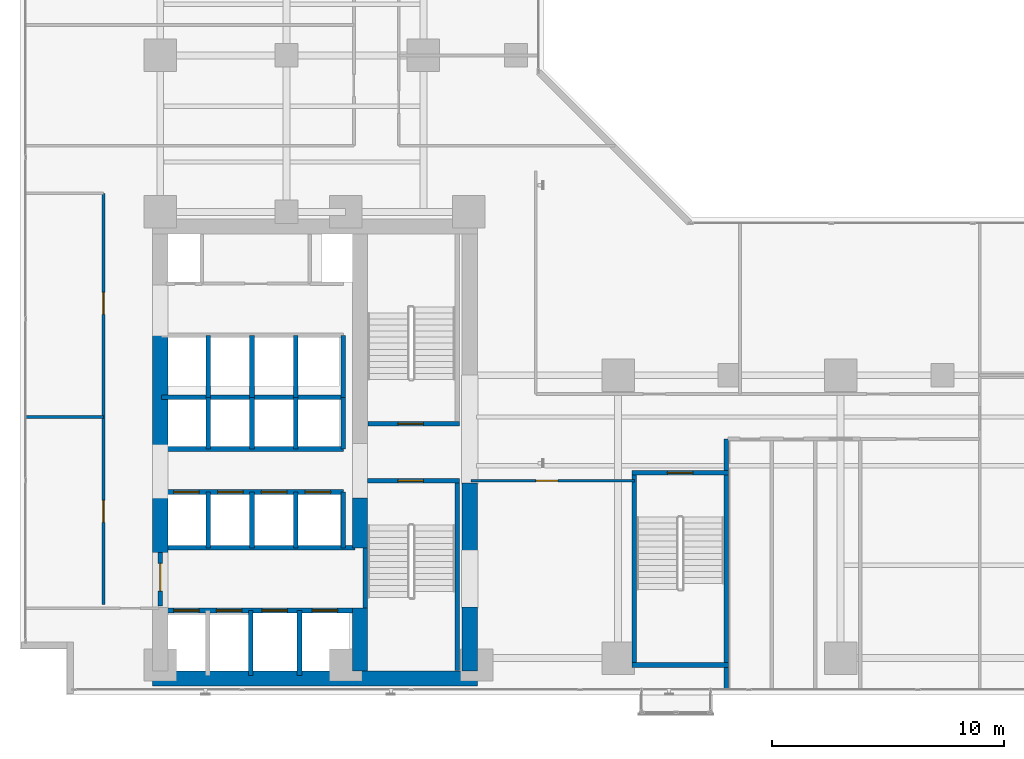
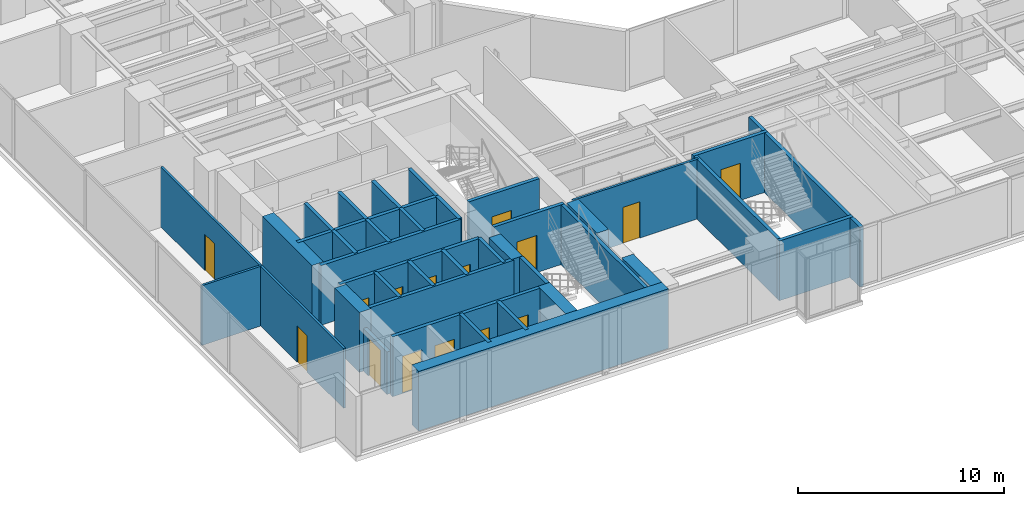
# One storey, part 19 of 24: 38 walls, 15 doors, 15 openings.
"""IFC4 building model written with IfcOpenShell, lengths in metres."""

from ifc_helpers import new_model, si_unit, direction, frame, frame_2d, origin, place, context, subcontext, project, spatial, rectangle, extrude, material, layer, layer_set, type_object, element, fill, save


model = new_model("IFC4")

# Units and contexts
model_context = context("Model", 3, precision=1e-05, world=origin(), true_north=direction((0.0, 1.0)))
body_context = subcontext(model_context, "Body", "Model", "MODEL_VIEW")
ifc_project = project(units=[si_unit("LENGTHUNIT", "METRE"), si_unit("AREAUNIT", "SQUARE_METRE"), si_unit("VOLUMEUNIT", "CUBIC_METRE"), si_unit("PLANEANGLEUNIT", "RADIAN"), si_unit("MASSUNIT", "GRAM", prefix="KILO")], contexts=[model_context])

# Site, building, storey
site_placement = place(None, origin())
site = spatial("IfcSite", under=ifc_project, at=site_placement, CompositionType="ELEMENT")
building_placement = place(site_placement, origin())
building = spatial("IfcBuilding", under=site, at=building_placement, Name="Kolvaren Waterfront Exchange", CompositionType="ELEMENT")
storey_placement = place(building_placement, frame((0.0, 0.0, 95.5)))
storey = spatial("IfcBuildingStorey", under=building, at=storey_placement, Name="L24", CompositionType="ELEMENT", Elevation=95.5)

# Wall, opening, door
ifc_material_1 = material(Name="Precast concrete C40/50", Category="concrete")
ifc_layer_1 = layer(ifc_material_1, 0.199951171875, Name="Precast concrete C40/50")
ifc_layer_set_1 = layer_set([ifc_layer_1], Name="Precast concrete C40/50")
wall_type_1 = type_object("IfcWallType", Name="ARC-FIRE-200", PredefinedType="PARTITIONING", material=ifc_layer_set_1)
wall_1_placement = place(storey_placement, frame((16.39990234375, 12.85009765625, 0.0), z_axis=(0.0, 0.0, 1.0), x_axis=(1.0, 0.0, 0.0)))
wall_1 = element("IfcWall", 1, at=wall_1_placement, inside=storey, type_object=wall_type_1, Name="L24 interior wall PW-L24-ST1-THROAT-S", PredefinedType="PARTITIONING", context=body_context, shape_type="SweptSolid", body=[
    extrude(rectangle(XDim=3.960205078125, YDim=0.199951171875, at=frame_2d((1.97998046875, 0.0))), origin(), (0.0, 0.0, 1.0), 3.5400390625),
])
opening_1_placement = place(wall_1_placement, frame((1.3037109375, 0.0, 0.0)))
opening_1 = element("IfcOpeningElement", 2, at=opening_1_placement, cuts=wall_1, Name="Opening FD2", PredefinedType="OPENING", context=body_context, shape_type="SweptSolid", body=[
    extrude(rectangle(XDim=1.10009765625, YDim=2.199951171875, at=frame_2d((0.550048828125, 1.10009765625))), frame((0.0, 0.10986328125, 0.0), z_axis=(0.0, -1.0, 0.0), x_axis=(1.0, 0.0, 0.0)), (0.0, 0.0, 1.0), 0.219970703125),
])
ifc_material_2 = material(Name="Pressed steel smoke-seal fire door", Category="steel")
door_type_1 = type_object("IfcDoorType", Name="ARC-FD-1100", OperationType="NOTDEFINED", PredefinedType="DOOR", material=ifc_material_2)
door_1_placement = place(opening_1_placement, frame((1.10009765625, 0.0, 0.0), z_axis=(0.0, 0.0, 1.0), x_axis=(-1.0, 0.0, 0.0)))
door_1 = element("IfcDoor", 3, at=door_1_placement, inside=storey, type_object=door_type_1, Name="L24 door DR-L24-ST1-IN (FD2)", OperationType="SINGLE_SWING_RIGHT", OverallHeight=2.199951171875, OverallWidth=1.10009765625, PredefinedType="DOOR", context=body_context, shape_type="SweptSolid", body=[
    extrude(rectangle(XDim=1.10009765625, YDim=2.199951171875, at=frame_2d((0.550048828125, 1.10009765625))), frame((0.0, 0.02490234375, 0.0), z_axis=(0.0, -1.0, 0.0), x_axis=(1.0, 0.0, 0.0)), (0.0, 0.0, 1.0), 0.050048828125),
])
fill(opening_1, door_1)

wall_2_placement = place(storey_placement, frame((16.409912109375, 15.300048828125, 0.0), z_axis=(0.0, 0.0, 1.0), x_axis=(1.0, 0.0, 0.0)))
wall_2 = element("IfcWall", 4, at=wall_2_placement, inside=storey, type_object=wall_type_1, Name="L24 interior wall PW-L24-ST2-THROAT-N", PredefinedType="PARTITIONING", context=body_context, shape_type="SweptSolid", body=[
    extrude(rectangle(XDim=3.9501953125, YDim=0.199951171875, at=frame_2d((1.97509765625, 0.0))), origin(), (0.0, 0.0, 1.0), 3.5400390625),
])
opening_2_placement = place(wall_2_placement, frame((1.293701171875, 0.0, 0.0)))
opening_2 = element("IfcOpeningElement", 5, at=opening_2_placement, cuts=wall_2, Name="Opening FD2", PredefinedType="OPENING", context=body_context, shape_type="SweptSolid", body=[
    extrude(rectangle(XDim=1.10009765625, YDim=2.199951171875, at=frame_2d((0.550048828125, 1.10009765625))), frame((0.0, 0.10986328125, 0.0), z_axis=(0.0, -1.0, 0.0), x_axis=(1.0, 0.0, 0.0)), (0.0, 0.0, 1.0), 0.219970703125),
])
door_2_placement = place(opening_2_placement, origin())
door_2 = element("IfcDoor", 6, at=door_2_placement, inside=storey, type_object=door_type_1, Name="L24 door DR-L24-ST2-IN (FD2)", OperationType="SINGLE_SWING_LEFT", OverallHeight=2.199951171875, OverallWidth=1.10009765625, PredefinedType="DOOR", context=body_context, shape_type="SweptSolid", body=[
    extrude(rectangle(XDim=1.10009765625, YDim=2.199951171875, at=frame_2d((0.550048828125, 1.10009765625))), frame((0.0, 0.02490234375, 0.0), z_axis=(0.0, -1.0, 0.0), x_axis=(1.0, 0.0, 0.0)), (0.0, 0.0, 1.0), 0.050048828125),
])
fill(opening_2, door_2)

# Wall
wall_3_placement = place(storey_placement, frame((7.5, 9.949951171875, 0.0), z_axis=(0.0, 0.0, 1.0), x_axis=(1.0, 0.0, 0.0)))
element("IfcWall", 7, at=wall_3_placement, inside=storey, type_object=wall_type_1, Name="L24 interior wall PW-L24-FF-N", PredefinedType="PARTITIONING", context=body_context, shape_type="SweptSolid", body=[
    extrude(rectangle(XDim=8.35009765625, YDim=0.199951171875, at=frame_2d((4.175048828125, 0.0))), origin(), (0.0, 0.0, 1.0), 3.5400390625),
])

# Wall, opening, door
wall_4_placement = place(storey_placement, frame((7.449951171875, 7.449951171875, 0.0), z_axis=(0.0, 0.0, 1.0), x_axis=(0.0, 1.0, 0.0)))
wall_4 = element("IfcWall", 8, at=wall_4_placement, inside=storey, type_object=wall_type_1, Name="L24 interior wall PW-L24-FF-W-DOOR", PredefinedType="PARTITIONING", context=body_context, shape_type="SweptSolid", body=[
    extrude(rectangle(XDim=2.300048828125, YDim=0.199951171875, at=frame_2d((1.14990234375, 0.0))), origin(), (0.0, 0.0, 1.0), 2.52001953125),
])
opening_3_placement = place(wall_4_placement, frame((0.63330078125, 0.0, 0.0)))
opening_3 = element("IfcOpeningElement", 9, at=opening_3_placement, cuts=wall_4, Name="Opening FD3", PredefinedType="OPENING", context=body_context, shape_type="SweptSolid", body=[
    extrude(rectangle(XDim=1.199951171875, YDim=2.25, at=frame_2d((0.60009765625, 1.125))), frame((0.0, 0.10986328125, 0.0), z_axis=(0.0, -1.0, 0.0), x_axis=(1.0, 0.0, 0.0)), (0.0, 0.0, 1.0), 0.219970703125),
])
ifc_material_3 = material(Name="Pressed steel fire door", Category="steel")
door_type_2 = type_object("IfcDoorType", Name="ARC-FD-1200", OperationType="NOTDEFINED", PredefinedType="DOOR", material=ifc_material_3)
door_3_placement = place(opening_3_placement, frame((1.199951171875, 0.0, 0.0), z_axis=(0.0, 0.0, 1.0), x_axis=(-1.0, 0.0, 0.0)))
door_3 = element("IfcDoor", 10, at=door_3_placement, inside=storey, type_object=door_type_2, Name="L24 door DR-L24-FF-OUT (FD3)", OperationType="SINGLE_SWING_LEFT", OverallHeight=2.25, OverallWidth=1.199951171875, PredefinedType="DOOR", context=body_context, shape_type="SweptSolid", body=[
    extrude(rectangle(XDim=1.199951171875, YDim=2.25, at=frame_2d((0.60009765625, 1.125))), frame((0.0, 0.02490234375, 0.0), z_axis=(0.0, -1.0, 0.0), x_axis=(1.0, 0.0, 0.0)), (0.0, 0.0, 1.0), 0.050048828125),
])
fill(opening_3, door_3)

# Wall, openings, doors
ifc_material_4 = material(Name="Acoustic gypsum steel stud", Category="steel")
ifc_layer_2 = layer(ifc_material_4, 0.125, Name="Acoustic gypsum steel stud")
ifc_layer_set_2 = layer_set([ifc_layer_2], Name="Acoustic gypsum steel stud")
wall_type_2 = type_object("IfcWallType", Name="ARC-PART-125", PredefinedType="PARTITIONING", material=ifc_layer_set_2)
wall_5_placement = place(storey_placement, frame((5.0, 7.5, 0.0), z_axis=(0.0, 0.0, 1.0), x_axis=(0.0, 1.0, 0.0)))
wall_5 = element("IfcWall", 11, at=wall_5_placement, inside=storey, type_object=wall_type_2, Name="L24 interior wall PW-L24-WFLANK-E", PredefinedType="PARTITIONING", context=body_context, shape_type="SweptSolid", body=[
    extrude(rectangle(XDim=17.75, YDim=0.125, at=frame_2d((8.875, 0.0))), origin(), (0.0, 0.0, 1.0), 3.5400390625),
])
opening_4_placement = place(wall_5_placement, frame((3.550048828125, 0.0, 0.0)))
opening_4 = element("IfcOpeningElement", 12, at=opening_4_placement, cuts=wall_5, Name="Opening D02", PredefinedType="OPENING", context=body_context, shape_type="SweptSolid", body=[
    extrude(rectangle(XDim=0.949951171875, YDim=2.14990234375, at=frame_2d((0.47509765625, 1.074951171875))), frame((0.0, 0.072509765625, 0.0), z_axis=(0.0, -1.0, 0.0), x_axis=(1.0, 0.0, 0.0)), (0.0, 0.0, 1.0), 0.14501953125),
])
opening_5_placement = place(wall_5_placement, frame((12.52099609375, 0.0, 0.0)))
opening_5 = element("IfcOpeningElement", 13, at=opening_5_placement, cuts=wall_5, Name="Opening D02", PredefinedType="OPENING", context=body_context, shape_type="SweptSolid", body=[
    extrude(rectangle(XDim=0.949951171875, YDim=2.14990234375, at=frame_2d((0.47509765625, 1.074951171875))), frame((0.0, 0.072509765625, 0.0), z_axis=(0.0, -1.0, 0.0), x_axis=(1.0, 0.0, 0.0)), (0.0, 0.0, 1.0), 0.14501953125),
])
ifc_material_5 = material(Name="Oak veneer acoustic timber", Category="wood")
door_type_3 = type_object("IfcDoorType", Name="ARC-DR-950", OperationType="NOTDEFINED", PredefinedType="DOOR", material=ifc_material_5)
door_4_placement = place(opening_4_placement, origin())
door_4 = element("IfcDoor", 14, at=door_4_placement, inside=storey, type_object=door_type_3, Name="L24 door DR-L24-WFL1-D (D02)", OperationType="SINGLE_SWING_RIGHT", OverallHeight=2.14990234375, OverallWidth=0.949951171875, PredefinedType="DOOR", context=body_context, shape_type="SweptSolid", body=[
    extrude(rectangle(XDim=0.949951171875, YDim=2.14990234375, at=frame_2d((0.47509765625, 1.074951171875))), frame((0.0, 0.02490234375, 0.0), z_axis=(0.0, -1.0, 0.0), x_axis=(1.0, 0.0, 0.0)), (0.0, 0.0, 1.0), 0.050048828125),
])
fill(opening_4, door_4)
door_5_placement = place(opening_5_placement, origin())
door_5 = element("IfcDoor", 15, at=door_5_placement, inside=storey, type_object=door_type_3, Name="L24 door DR-L24-WFL2-D (D02)", OperationType="SINGLE_SWING_LEFT", OverallHeight=2.14990234375, OverallWidth=0.949951171875, PredefinedType="DOOR", context=body_context, shape_type="SweptSolid", body=[
    extrude(rectangle(XDim=0.949951171875, YDim=2.14990234375, at=frame_2d((0.47509765625, 1.074951171875))), frame((0.0, 0.02490234375, 0.0), z_axis=(0.0, -1.0, 0.0), x_axis=(1.0, 0.0, 0.0)), (0.0, 0.0, 1.0), 0.050048828125),
])
fill(opening_5, door_5)

# Wall
wall_6_placement = place(storey_placement, frame((1.639892578125, 15.60009765625, 0.0), z_axis=(0.0, 0.0, 1.0), x_axis=(1.0, 0.0, 0.0)))
element("IfcWall", 16, at=wall_6_placement, inside=storey, type_object=wall_type_2, Name="L24 interior wall PW-L24-WFLANK-MID", PredefinedType="PARTITIONING", context=body_context, shape_type="SweptSolid", body=[
    extrude(rectangle(XDim=3.360107421875, YDim=0.125, at=frame_2d((1.68017578125, 0.0))), origin(), (0.0, 0.0, 1.0), 3.5400390625),
])

# Wall, opening, door
wall_7_placement = place(storey_placement, frame((20.85009765625, 12.85009765625, 0.0), z_axis=(0.0, 0.0, 1.0), x_axis=(1.0, 0.0, 0.0)))
wall_7 = element("IfcWall", 17, at=wall_7_placement, inside=storey, type_object=wall_type_2, Name="L24 interior wall PW-L24-SWST3-N", PredefinedType="PARTITIONING", context=body_context, shape_type="SweptSolid", body=[
    extrude(rectangle(XDim=7.0498046875, YDim=0.125, at=frame_2d((3.52490234375, 0.0))), origin(), (0.0, 0.0, 1.0), 3.5400390625),
])
opening_6_placement = place(wall_7_placement, frame((2.800048828125, 0.0, 0.0)))
opening_6 = element("IfcOpeningElement", 18, at=opening_6_placement, cuts=wall_7, Name="Opening D02", PredefinedType="OPENING", context=body_context, shape_type="SweptSolid", body=[
    extrude(rectangle(XDim=0.949951171875, YDim=2.14990234375, at=frame_2d((0.47509765625, 1.074951171875))), frame((0.0, 0.072509765625, 0.0), z_axis=(0.0, -1.0, 0.0), x_axis=(1.0, 0.0, 0.0)), (0.0, 0.0, 1.0), 0.14501953125),
])
door_6_placement = place(opening_6_placement, origin())
door_6 = element("IfcDoor", 19, at=door_6_placement, inside=storey, type_object=door_type_3, Name="L24 door DR-L24-SWST3-D (D02)", OperationType="SINGLE_SWING_RIGHT", OverallHeight=2.14990234375, OverallWidth=0.949951171875, PredefinedType="DOOR", context=body_context, shape_type="SweptSolid", body=[
    extrude(rectangle(XDim=0.949951171875, YDim=2.14990234375, at=frame_2d((0.47509765625, 1.074951171875))), frame((0.0, 0.02490234375, 0.0), z_axis=(0.0, -1.0, 0.0), x_axis=(1.0, 0.0, 0.0)), (0.0, 0.0, 1.0), 0.050048828125),
])
fill(opening_6, door_6)

# Walls
ifc_material_6 = material(Name="Concrete C40/50", Category="concrete")
ifc_layer_3 = layer(ifc_material_6, 0.199951171875, Name="Concrete C40/50")
ifc_layer_set_3 = layer_set([ifc_layer_3], Name="Concrete C40/50")
wall_type_3 = type_object("IfcWallType", Name="ARC-SHAFT-200", PredefinedType="PARTITIONING", material=ifc_layer_set_3)
wall_8_placement = place(storey_placement, frame((16.300048828125, 7.360107421875, 0.0), z_axis=(0.0, 0.0, 1.0), x_axis=(0.0, 1.0, 0.0)))
element("IfcWall", 20, at=wall_8_placement, inside=storey, type_object=wall_type_3, Name="L24 structural stairwell wall PW-L24-ST1-W", PredefinedType="SHEAR", context=body_context, shape_type="SweptSolid", body=[
    extrude(rectangle(XDim=2.579833984375, YDim=0.199951171875, at=frame_2d((1.2900390625, 0.0))), origin(), (0.0, 0.0, 1.0), 3.5400390625),
])
wall_9_placement = place(storey_placement, frame((20.260009765625, 4.659912109375, 0.0), z_axis=(0.0, 0.0, 1.0), x_axis=(0.0, 1.0, 0.0)))
element("IfcWall", 21, at=wall_9_placement, inside=storey, type_object=wall_type_3, Name="L24 structural stairwell wall PW-L24-ST1-E", PredefinedType="SHEAR", context=body_context, shape_type="SweptSolid", body=[
    extrude(rectangle(XDim=8.090087890625, YDim=0.199951171875, at=frame_2d((4.044921875, 0.0))), origin(), (0.0, 0.0, 1.0), 3.5400390625),
])
wall_10_placement = place(storey_placement, frame((27.89990234375, 5.0, 0.0), z_axis=(0.0, 0.0, 1.0), x_axis=(0.0, 1.0, 0.0)))
element("IfcWall", 22, at=wall_10_placement, inside=storey, type_object=wall_type_3, Name="L24 structural stairwell wall PW-L24-ST3-W", PredefinedType="SHEAR", context=body_context, shape_type="SweptSolid", body=[
    extrude(rectangle(XDim=8.10009765625, YDim=0.199951171875, at=frame_2d((4.050048828125, 0.0))), origin(), (0.0, 0.0, 1.0), 3.5400390625),
])
wall_11_placement = place(storey_placement, frame((31.860107421875, 3.840087890625, 0.0), z_axis=(0.0, 0.0, 1.0), x_axis=(0.0, 1.0, 0.0)))
element("IfcWall", 23, at=wall_11_placement, inside=storey, type_object=wall_type_3, Name="L24 structural stairwell wall PW-L24-ST3-E", PredefinedType="SHEAR", context=body_context, shape_type="SweptSolid", body=[
    extrude(rectangle(XDim=10.809814453125, YDim=0.199951171875, at=frame_2d((5.40478515625, 0.0))), origin(), (0.0, 0.0, 1.0), 3.5400390625),
])
wall_12_placement = place(storey_placement, frame((27.800048828125, 4.89990234375, 0.0), z_axis=(0.0, 0.0, 1.0), x_axis=(1.0, 0.0, 0.0)))
element("IfcWall", 24, at=wall_12_placement, inside=storey, type_object=wall_type_3, Name="L24 structural stairwell wall PW-L24-ST3-S", PredefinedType="SHEAR", context=body_context, shape_type="SweptSolid", body=[
    extrude(rectangle(XDim=4.159912109375, YDim=0.199951171875, at=frame_2d((2.080078125, 0.0))), origin(), (0.0, 0.0, 1.0), 3.5400390625),
])

# Wall, opening, door
wall_13_placement = place(storey_placement, frame((27.800048828125, 13.199951171875, 0.0), z_axis=(0.0, 0.0, 1.0), x_axis=(1.0, 0.0, 0.0)))
wall_13 = element("IfcWall", 25, at=wall_13_placement, inside=storey, type_object=wall_type_3, Name="L24 structural stairwell wall PW-L24-ST3-N", PredefinedType="SHEAR", context=body_context, shape_type="SweptSolid", body=[
    extrude(rectangle(XDim=4.159912109375, YDim=0.199951171875, at=frame_2d((2.080078125, 0.0))), origin(), (0.0, 0.0, 1.0), 3.5400390625),
])
opening_7_placement = place(wall_13_placement, frame((1.530029296875, 0.0, 0.0)))
opening_7 = element("IfcOpeningElement", 26, at=opening_7_placement, cuts=wall_13, Name="Opening FD2", PredefinedType="OPENING", context=body_context, shape_type="SweptSolid", body=[
    extrude(rectangle(XDim=1.10009765625, YDim=2.199951171875, at=frame_2d((0.550048828125, 1.10009765625))), frame((0.0, 0.10986328125, 0.0), z_axis=(0.0, -1.0, 0.0), x_axis=(1.0, 0.0, 0.0)), (0.0, 0.0, 1.0), 0.219970703125),
])
door_7_placement = place(opening_7_placement, frame((1.10009765625, 0.0, 0.0), z_axis=(0.0, 0.0, 1.0), x_axis=(-1.0, 0.0, 0.0)))
door_7 = element("IfcDoor", 27, at=door_7_placement, inside=storey, type_object=door_type_1, Name="L24 door DR-L24-ST3-IN (FD2)", OperationType="SINGLE_SWING_RIGHT", OverallHeight=2.199951171875, OverallWidth=1.10009765625, PredefinedType="DOOR", context=body_context, shape_type="SweptSolid", body=[
    extrude(rectangle(XDim=1.10009765625, YDim=2.199951171875, at=frame_2d((0.550048828125, 1.10009765625))), frame((0.0, 0.02490234375, 0.0), z_axis=(0.0, -1.0, 0.0), x_axis=(1.0, 0.0, 0.0)), (0.0, 0.0, 1.0), 0.050048828125),
])
fill(opening_7, door_7)

# Wall, openings, doors
wall_14_placement = place(storey_placement, frame((7.5, 7.25, 0.0), z_axis=(0.0, 0.0, 1.0), x_axis=(1.0, 0.0, 0.0)))
wall_14 = element("IfcWall", 28, at=wall_14_placement, inside=storey, type_object=wall_type_3, Name="L24 interior wall PW-L24-FF-S", PredefinedType="PARTITIONING", context=body_context, shape_type="SweptSolid", body=[
    extrude(rectangle(XDim=8.35009765625, YDim=0.199951171875, at=frame_2d((4.175048828125, 0.0))), origin(), (0.0, 0.0, 1.0), 3.5400390625),
])
opening_8_placement = place(wall_14_placement, frame((0.530029296875, 0.0, 0.0)))
opening_8 = element("IfcOpeningElement", 29, at=opening_8_placement, cuts=wall_14, Name="Opening LD1", PredefinedType="OPENING", context=body_context, shape_type="SweptSolid", body=[
    extrude(rectangle(XDim=1.10009765625, YDim=2.199951171875, at=frame_2d((0.550048828125, 1.10009765625))), frame((0.0, 0.10986328125, 0.0), z_axis=(0.0, -1.0, 0.0), x_axis=(1.0, 0.0, 0.0)), (0.0, 0.0, 1.0), 0.219970703125),
])
opening_9_placement = place(wall_14_placement, frame((2.3701171875, 0.0, 0.0)))
opening_9 = element("IfcOpeningElement", 30, at=opening_9_placement, cuts=wall_14, Name="Opening LD1", PredefinedType="OPENING", context=body_context, shape_type="SweptSolid", body=[
    extrude(rectangle(XDim=1.10009765625, YDim=2.199951171875, at=frame_2d((0.550048828125, 1.10009765625))), frame((0.0, 0.10986328125, 0.0), z_axis=(0.0, -1.0, 0.0), x_axis=(1.0, 0.0, 0.0)), (0.0, 0.0, 1.0), 0.219970703125),
])
opening_10_placement = place(wall_14_placement, frame((4.330078125, 0.0, 0.0)))
opening_10 = element("IfcOpeningElement", 31, at=opening_10_placement, cuts=wall_14, Name="Opening LD1", PredefinedType="OPENING", context=body_context, shape_type="SweptSolid", body=[
    extrude(rectangle(XDim=1.10009765625, YDim=2.199951171875, at=frame_2d((0.550048828125, 1.10009765625))), frame((0.0, 0.10986328125, 0.0), z_axis=(0.0, -1.0, 0.0), x_axis=(1.0, 0.0, 0.0)), (0.0, 0.0, 1.0), 0.219970703125),
])
opening_11_placement = place(wall_14_placement, frame((6.5, 0.0, 0.0)))
opening_11 = element("IfcOpeningElement", 32, at=opening_11_placement, cuts=wall_14, Name="Opening LD1", PredefinedType="OPENING", context=body_context, shape_type="SweptSolid", body=[
    extrude(rectangle(XDim=1.10009765625, YDim=2.199951171875, at=frame_2d((0.550048828125, 1.10009765625))), frame((0.0, 0.10986328125, 0.0), z_axis=(0.0, -1.0, 0.0), x_axis=(1.0, 0.0, 0.0)), (0.0, 0.0, 1.0), 0.219970703125),
])
ifc_material_7 = material(Name="Stainless steel sliding landing door", Category="steel")
door_type_4 = type_object("IfcDoorType", Name="ARC-LD-FF", OperationType="SLIDING_TO_LEFT", PredefinedType="DOOR", material=ifc_material_7)
door_8_placement = place(opening_8_placement, origin())
door_8 = element("IfcDoor", 33, at=door_8_placement, inside=storey, type_object=door_type_4, Name="L24 door LD-L24-FFL1 (LD1)", OperationType="SLIDING_TO_LEFT", OverallHeight=2.199951171875, OverallWidth=1.10009765625, PredefinedType="DOOR", context=body_context, shape_type="SweptSolid", body=[
    extrude(rectangle(XDim=1.10009765625, YDim=2.199951171875, at=frame_2d((0.550048828125, 1.10009765625))), frame((0.0, 0.02490234375, 0.0), z_axis=(0.0, -1.0, 0.0), x_axis=(1.0, 0.0, 0.0)), (0.0, 0.0, 1.0), 0.050048828125),
])
fill(opening_8, door_8)
door_9_placement = place(opening_9_placement, origin())
door_9 = element("IfcDoor", 34, at=door_9_placement, inside=storey, type_object=door_type_4, Name="L24 door LD-L24-FFL2 (LD1)", OperationType="SLIDING_TO_LEFT", OverallHeight=2.199951171875, OverallWidth=1.10009765625, PredefinedType="DOOR", context=body_context, shape_type="SweptSolid", body=[
    extrude(rectangle(XDim=1.10009765625, YDim=2.199951171875, at=frame_2d((0.550048828125, 1.10009765625))), frame((0.0, 0.02490234375, 0.0), z_axis=(0.0, -1.0, 0.0), x_axis=(1.0, 0.0, 0.0)), (0.0, 0.0, 1.0), 0.050048828125),
])
fill(opening_9, door_9)
door_10_placement = place(opening_10_placement, origin())
door_10 = element("IfcDoor", 35, at=door_10_placement, inside=storey, type_object=door_type_4, Name="L24 door LD-L24-GL1 (LD1)", OperationType="SLIDING_TO_LEFT", OverallHeight=2.199951171875, OverallWidth=1.10009765625, PredefinedType="DOOR", context=body_context, shape_type="SweptSolid", body=[
    extrude(rectangle(XDim=1.10009765625, YDim=2.199951171875, at=frame_2d((0.550048828125, 1.10009765625))), frame((0.0, 0.02490234375, 0.0), z_axis=(0.0, -1.0, 0.0), x_axis=(1.0, 0.0, 0.0)), (0.0, 0.0, 1.0), 0.050048828125),
])
fill(opening_10, door_10)
door_11_placement = place(opening_11_placement, origin())
door_11 = element("IfcDoor", 36, at=door_11_placement, inside=storey, type_object=door_type_4, Name="L24 door LD-L24-GL2 (LD1)", OperationType="SLIDING_TO_LEFT", OverallHeight=2.199951171875, OverallWidth=1.10009765625, PredefinedType="DOOR", context=body_context, shape_type="SweptSolid", body=[
    extrude(rectangle(XDim=1.10009765625, YDim=2.199951171875, at=frame_2d((0.550048828125, 1.10009765625))), frame((0.0, 0.02490234375, 0.0), z_axis=(0.0, -1.0, 0.0), x_axis=(1.0, 0.0, 0.0)), (0.0, 0.0, 1.0), 0.050048828125),
])
fill(opening_11, door_11)

# Walls
for number, where, z_axis, x_axis, name in (
    (37, (11.360107421875, 4.449951171875, 0.0), (0.0, 0.0, 1.0), (0.0, 1.0, 0.0), "L24 interior wall PW-L24-SH1-DIV-113"),
    (38, (13.4599609375, 4.449951171875, 0.0), (0.0, 0.0, 1.0), (0.0, 1.0, 0.0), "L24 interior wall PW-L24-SH1-DIV-134"),
):
    element("IfcWall", number, at=place(storey_placement, frame(where, z_axis=z_axis, x_axis=x_axis)), inside=storey, type_object=wall_type_3, Name=name, PredefinedType="PARTITIONING", context=body_context, shape_type="SweptSolid", body=[
        extrude(rectangle(XDim=2.800048828125, YDim=0.199951171875, at=frame_2d((1.39990234375, 0.0))), origin(), (0.0, 0.0, 1.0), 3.5400390625),
    ])

# Wall, openings, doors
wall_15_placement = place(storey_placement, frame((7.5, 12.360107421875, 0.0), z_axis=(0.0, 0.0, 1.0), x_axis=(1.0, 0.0, 0.0)))
wall_15 = element("IfcWall", 39, at=wall_15_placement, inside=storey, type_object=wall_type_3, Name="L24 interior wall PW-L24-PL-N", PredefinedType="PARTITIONING", context=body_context, shape_type="SweptSolid", body=[
    extrude(rectangle(XDim=7.85009765625, YDim=0.199951171875, at=frame_2d((3.925048828125, 0.0))), origin(), (0.0, 0.0, 1.0), 3.5400390625),
])
opening_12_placement = place(wall_15_placement, frame((0.530029296875, 0.0, 0.0)))
opening_12 = element("IfcOpeningElement", 40, at=opening_12_placement, cuts=wall_15, Name="Opening LD2", PredefinedType="OPENING", context=body_context, shape_type="SweptSolid", body=[
    extrude(rectangle(XDim=1.10009765625, YDim=2.199951171875, at=frame_2d((0.550048828125, 1.10009765625))), frame((0.0, 0.10986328125, 0.0), z_axis=(0.0, -1.0, 0.0), x_axis=(1.0, 0.0, 0.0)), (0.0, 0.0, 1.0), 0.219970703125),
])
opening_13_placement = place(wall_15_placement, frame((2.419921875, 0.0, 0.0)))
opening_13 = element("IfcOpeningElement", 41, at=opening_13_placement, cuts=wall_15, Name="Opening LD2", PredefinedType="OPENING", context=body_context, shape_type="SweptSolid", body=[
    extrude(rectangle(XDim=1.10009765625, YDim=2.199951171875, at=frame_2d((0.550048828125, 1.10009765625))), frame((0.0, 0.10986328125, 0.0), z_axis=(0.0, -1.0, 0.0), x_axis=(1.0, 0.0, 0.0)), (0.0, 0.0, 1.0), 0.219970703125),
])
opening_14_placement = place(wall_15_placement, frame((4.31005859375, 0.0, 0.0)))
opening_14 = element("IfcOpeningElement", 42, at=opening_14_placement, cuts=wall_15, Name="Opening LD2", PredefinedType="OPENING", context=body_context, shape_type="SweptSolid", body=[
    extrude(rectangle(XDim=1.10009765625, YDim=2.199951171875, at=frame_2d((0.550048828125, 1.10009765625))), frame((0.0, 0.10986328125, 0.0), z_axis=(0.0, -1.0, 0.0), x_axis=(1.0, 0.0, 0.0)), (0.0, 0.0, 1.0), 0.219970703125),
])
opening_15_placement = place(wall_15_placement, frame((6.199951171875, 0.0, 0.0)))
opening_15 = element("IfcOpeningElement", 43, at=opening_15_placement, cuts=wall_15, Name="Opening LD2", PredefinedType="OPENING", context=body_context, shape_type="SweptSolid", body=[
    extrude(rectangle(XDim=1.10009765625, YDim=2.199951171875, at=frame_2d((0.550048828125, 1.10009765625))), frame((0.0, 0.10986328125, 0.0), z_axis=(0.0, -1.0, 0.0), x_axis=(1.0, 0.0, 0.0)), (0.0, 0.0, 1.0), 0.219970703125),
])
ifc_material_8 = material(Name="Brushed bronze sliding landing door", Category="aluminium")
door_type_5 = type_object("IfcDoorType", Name="ARC-LD-PAX", OperationType="SLIDING_TO_LEFT", PredefinedType="DOOR", material=ifc_material_8)
door_12_placement = place(opening_12_placement, origin())
door_12 = element("IfcDoor", 44, at=door_12_placement, inside=storey, type_object=door_type_5, Name="L24 door LD-L24-PL1 (LD2)", OperationType="SLIDING_TO_LEFT", OverallHeight=2.199951171875, OverallWidth=1.10009765625, PredefinedType="DOOR", context=body_context, shape_type="SweptSolid", body=[
    extrude(rectangle(XDim=1.10009765625, YDim=2.199951171875, at=frame_2d((0.550048828125, 1.10009765625))), frame((0.0, 0.02490234375, 0.0), z_axis=(0.0, -1.0, 0.0), x_axis=(1.0, 0.0, 0.0)), (0.0, 0.0, 1.0), 0.050048828125),
])
fill(opening_12, door_12)
door_13_placement = place(opening_13_placement, origin())
door_13 = element("IfcDoor", 45, at=door_13_placement, inside=storey, type_object=door_type_5, Name="L24 door LD-L24-PL2 (LD2)", OperationType="SLIDING_TO_LEFT", OverallHeight=2.199951171875, OverallWidth=1.10009765625, PredefinedType="DOOR", context=body_context, shape_type="SweptSolid", body=[
    extrude(rectangle(XDim=1.10009765625, YDim=2.199951171875, at=frame_2d((0.550048828125, 1.10009765625))), frame((0.0, 0.02490234375, 0.0), z_axis=(0.0, -1.0, 0.0), x_axis=(1.0, 0.0, 0.0)), (0.0, 0.0, 1.0), 0.050048828125),
])
fill(opening_13, door_13)
door_14_placement = place(opening_14_placement, origin())
door_14 = element("IfcDoor", 46, at=door_14_placement, inside=storey, type_object=door_type_5, Name="L24 door LD-L24-PL3 (LD2)", OperationType="SLIDING_TO_LEFT", OverallHeight=2.199951171875, OverallWidth=1.10009765625, PredefinedType="DOOR", context=body_context, shape_type="SweptSolid", body=[
    extrude(rectangle(XDim=1.10009765625, YDim=2.199951171875, at=frame_2d((0.550048828125, 1.10009765625))), frame((0.0, 0.02490234375, 0.0), z_axis=(0.0, -1.0, 0.0), x_axis=(1.0, 0.0, 0.0)), (0.0, 0.0, 1.0), 0.050048828125),
])
fill(opening_14, door_14)
door_15_placement = place(opening_15_placement, origin())
door_15 = element("IfcDoor", 47, at=door_15_placement, inside=storey, type_object=door_type_5, Name="L24 door LD-L24-PL4 (LD2)", OperationType="SLIDING_TO_LEFT", OverallHeight=2.199951171875, OverallWidth=1.10009765625, PredefinedType="DOOR", context=body_context, shape_type="SweptSolid", body=[
    extrude(rectangle(XDim=1.10009765625, YDim=2.199951171875, at=frame_2d((0.550048828125, 1.10009765625))), frame((0.0, 0.02490234375, 0.0), z_axis=(0.0, -1.0, 0.0), x_axis=(1.0, 0.0, 0.0)), (0.0, 0.0, 1.0), 0.050048828125),
])
fill(opening_15, door_15)

# Walls
for number, where, z_axis, x_axis, name in (
    (48, (15.35009765625, 9.949951171875, 0.0), (0.0, 0.0, 1.0), (0.0, 1.0, 0.0), "L24 interior wall PW-L24-PL-E"),
    (49, (9.52001953125, 9.949951171875, 0.0), (0.0, 0.0, 1.0), (0.0, 1.0, 0.0), "L24 interior wall PW-L24-SH2-DIV-95"),
    (50, (11.409912109375, 9.949951171875, 0.0), (0.0, 0.0, 1.0), (0.0, 1.0, 0.0), "L24 interior wall PW-L24-SH2-DIV-114"),
    (51, (13.300048828125, 9.949951171875, 0.0), (0.0, 0.0, 1.0), (0.0, 1.0, 0.0), "L24 interior wall PW-L24-SH2-DIV-133"),
):
    element("IfcWall", number, at=place(storey_placement, frame(where, z_axis=z_axis, x_axis=x_axis)), inside=storey, type_object=wall_type_3, Name=name, PredefinedType="PARTITIONING", context=body_context, shape_type="SweptSolid", body=[
        extrude(rectangle(XDim=2.41015625, YDim=0.199951171875, at=frame_2d((1.205078125, 0.0))), origin(), (0.0, 0.0, 1.0), 3.5400390625),
    ])
for number, where, z_axis, x_axis, name in (
    (52, (7.5, 14.219970703125, 0.0), (0.0, 0.0, 1.0), (1.0, 0.0, 0.0), "L24 interior wall PW-L24-PM-S"),
    (53, (7.5, 16.449951171875, 0.0), (0.0, 0.0, 1.0), (1.0, 0.0, 0.0), "L24 interior wall PW-L24-PM-N"),
):
    element("IfcWall", number, at=place(storey_placement, frame(where, z_axis=z_axis, x_axis=x_axis)), inside=storey, type_object=wall_type_3, Name=name, PredefinedType="PARTITIONING", context=body_context, shape_type="SweptSolid", body=[
        extrude(rectangle(XDim=7.85009765625, YDim=0.199951171875, at=frame_2d((3.925048828125, 0.0))), origin(), (0.0, 0.0, 1.0), 3.5400390625),
    ])
for number, where, z_axis, x_axis, name in (
    (54, (15.35009765625, 14.219970703125, 0.0), (0.0, 0.0, 1.0), (0.0, 1.0, 0.0), "L24 interior wall PW-L24-PM-E"),
    (55, (9.52001953125, 14.219970703125, 0.0), (0.0, 0.0, 1.0), (0.0, 1.0, 0.0), "L24 interior wall PW-L24-SH3-DIV-95"),
    (56, (11.409912109375, 14.219970703125, 0.0), (0.0, 0.0, 1.0), (0.0, 1.0, 0.0), "L24 interior wall PW-L24-SH3-DIV-114"),
    (57, (13.300048828125, 14.219970703125, 0.0), (0.0, 0.0, 1.0), (0.0, 1.0, 0.0), "L24 interior wall PW-L24-SH3-DIV-133"),
):
    element("IfcWall", number, at=place(storey_placement, frame(where, z_axis=z_axis, x_axis=x_axis)), inside=storey, type_object=wall_type_3, Name=name, PredefinedType="PARTITIONING", context=body_context, shape_type="SweptSolid", body=[
        extrude(rectangle(XDim=2.22998046875, YDim=0.199951171875, at=frame_2d((1.114990234375, 0.0))), origin(), (0.0, 0.0, 1.0), 3.5400390625),
    ])
for number, where, z_axis, x_axis, name in (
    (58, (15.35009765625, 16.449951171875, 0.0), (0.0, 0.0, 1.0), (0.0, 1.0, 0.0), "L24 interior wall PW-L24-PH-E"),
    (59, (9.52001953125, 16.449951171875, 0.0), (0.0, 0.0, 1.0), (0.0, 1.0, 0.0), "L24 interior wall PW-L24-SH4-DIV-95"),
    (60, (11.409912109375, 16.449951171875, 0.0), (0.0, 0.0, 1.0), (0.0, 1.0, 0.0), "L24 interior wall PW-L24-SH4-DIV-114"),
    (61, (13.300048828125, 16.449951171875, 0.0), (0.0, 0.0, 1.0), (0.0, 1.0, 0.0), "L24 interior wall PW-L24-SH4-DIV-133"),
):
    element("IfcWall", number, at=place(storey_placement, frame(where, z_axis=z_axis, x_axis=x_axis)), inside=storey, type_object=wall_type_3, Name=name, PredefinedType="PARTITIONING", context=body_context, shape_type="SweptSolid", body=[
        extrude(rectangle(XDim=2.670166015625, YDim=0.199951171875, at=frame_2d((1.3349609375, 0.0))), origin(), (0.0, 0.0, 1.0), 3.5400390625),
    ])
ifc_material_9 = material(Name="Concrete C60/75", Category="concrete")
ifc_layer_4 = layer(ifc_material_9, 0.64990234375, Name="Concrete C60/75")
ifc_layer_set_4 = layer_set([ifc_layer_4], Name="Concrete C60/75")
wall_type_4 = type_object("IfcWallType", Name="STR-CWALL-650", PredefinedType="SHEAR", material=ifc_layer_set_4)
wall_16_placement = place(storey_placement, frame((7.125, 4.324951171875, 0.0), z_axis=(0.0, 0.0, 1.0), x_axis=(1.0, 0.0, 0.0)))
element("IfcWall", 62, at=wall_16_placement, inside=storey, type_object=wall_type_4, Name="L24 rear-core shear wall S", PredefinedType="SHEAR", context=body_context, shape_type="SweptSolid", body=[
    extrude(rectangle(XDim=14.0, YDim=0.64990234375, at=frame_2d((7.0, 0.0))), origin(), (0.0, 0.0, 1.0), 3.5400390625),
])
wall_17_placement = place(storey_placement, frame((7.449951171875, 9.75, 0.0), z_axis=(0.0, 0.0, 1.0), x_axis=(0.0, 1.0, 0.0)))
element("IfcWall", 63, at=wall_17_placement, inside=storey, type_object=wall_type_4, Name="L24 rear-core shear wall W2A", PredefinedType="SHEAR", context=body_context, shape_type="SweptSolid", body=[
    extrude(rectangle(XDim=2.39990234375, YDim=0.64990234375, at=frame_2d((1.199951171875, 0.0))), origin(), (0.0, 0.0, 1.0), 3.5400390625),
])
wall_18_placement = place(storey_placement, frame((7.449951171875, 14.35009765625, 0.0), z_axis=(0.0, 0.0, 1.0), x_axis=(0.0, 1.0, 0.0)))
element("IfcWall", 64, at=wall_18_placement, inside=storey, type_object=wall_type_4, Name="L24 rear-core shear wall W2B", PredefinedType="SHEAR", context=body_context, shape_type="SweptSolid", body=[
    extrude(rectangle(XDim=4.809814453125, YDim=0.64990234375, at=frame_2d((2.40478515625, 0.0))), origin(), (0.0, 0.0, 1.0), 3.5400390625),
])
wall_19_placement = place(storey_placement, frame((20.800048828125, 4.64990234375, 0.0), z_axis=(0.0, 0.0, 1.0), x_axis=(0.0, 1.0, 0.0)))
element("IfcWall", 65, at=wall_19_placement, inside=storey, type_object=wall_type_4, Name="L24 rear-core shear wall E1", PredefinedType="SHEAR", context=body_context, shape_type="SweptSolid", body=[
    extrude(rectangle(XDim=2.75, YDim=0.64990234375, at=frame_2d((1.375, 0.0))), origin(), (0.0, 0.0, 1.0), 3.5400390625),
])
wall_20_placement = place(storey_placement, frame((20.800048828125, 9.800048828125, 0.0), z_axis=(0.0, 0.0, 1.0), x_axis=(0.0, 1.0, 0.0)))
element("IfcWall", 66, at=wall_20_placement, inside=storey, type_object=wall_type_4, Name="L24 rear-core shear wall E2", PredefinedType="SHEAR", context=body_context, shape_type="SweptSolid", body=[
    extrude(rectangle(XDim=2.949951171875, YDim=0.64990234375, at=frame_2d((1.47509765625, 0.0))), origin(), (0.0, 0.0, 1.0), 3.5400390625),
])
wall_21_placement = place(storey_placement, frame((16.074951171875, 4.64990234375, 0.0), z_axis=(0.0, 0.0, 1.0), x_axis=(0.0, 1.0, 0.0)))
element("IfcWall", 67, at=wall_21_placement, inside=storey, type_object=wall_type_4, Name="L24 rear-core shear wall M1", PredefinedType="SHEAR", context=body_context, shape_type="SweptSolid", body=[
    extrude(rectangle(XDim=2.7001953125, YDim=0.64990234375, at=frame_2d((1.35009765625, 0.0))), origin(), (0.0, 0.0, 1.0), 3.5400390625),
])
wall_22_placement = place(storey_placement, frame((16.074951171875, 9.949951171875, 0.0), z_axis=(0.0, 0.0, 1.0), x_axis=(0.0, 1.0, 0.0)))
element("IfcWall", 68, at=wall_22_placement, inside=storey, type_object=wall_type_4, Name="L24 rear-core shear wall M2", PredefinedType="SHEAR", context=body_context, shape_type="SweptSolid", body=[
    extrude(rectangle(XDim=2.150146484375, YDim=0.64990234375, at=frame_2d((1.0751953125, 0.0))), origin(), (0.0, 0.0, 1.0), 3.5400390625),
])

save(model, "model.ifc")
